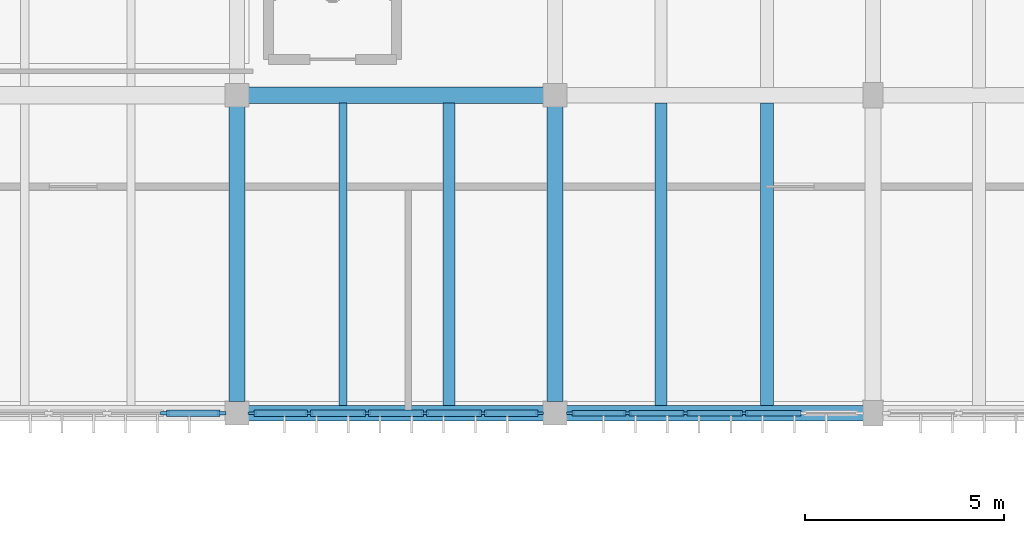
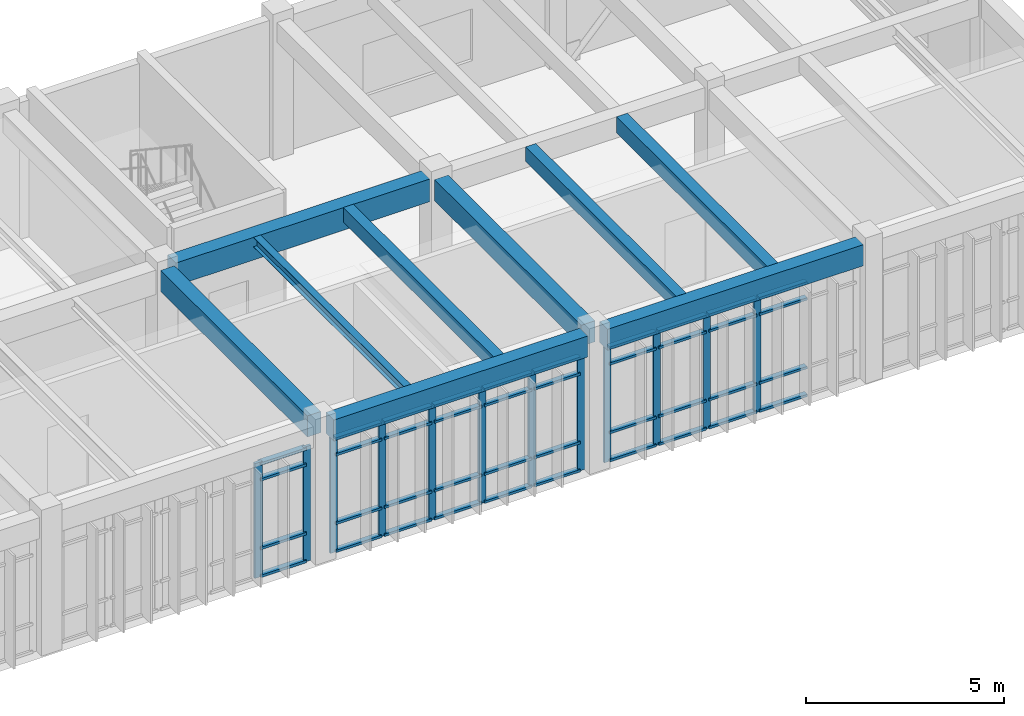
# One storey, part 32 of 79: 52 members, 9 beams, 3 elements without a shape of their own.
"""IFC4 building model written with IfcOpenShell, lengths in metres."""

from ifc_helpers import new_model, si_unit, direction, frame, origin, origin_2d, place, context, subcontext, project, spatial, rectangle, i_section, extrude, material, material_profile, profile_set, type_object, element, aggregate, save


model = new_model("IFC4")

# Units and contexts
model_context = context("Model", 3, precision=1e-05, world=origin(), true_north=direction((0.0, 1.0)))
body_context = subcontext(model_context, "Body", "Model", "MODEL_VIEW")
ifc_project = project(units=[si_unit("LENGTHUNIT", "METRE"), si_unit("AREAUNIT", "SQUARE_METRE"), si_unit("VOLUMEUNIT", "CUBIC_METRE"), si_unit("PLANEANGLEUNIT", "RADIAN"), si_unit("MASSUNIT", "GRAM", prefix="KILO")], contexts=[model_context])

# Site, building, storey
site_placement = place(None, origin())
site = spatial("IfcSite", under=ifc_project, at=site_placement, CompositionType="ELEMENT")
building_placement = place(site_placement, origin())
building = spatial("IfcBuilding", under=site, at=building_placement, Name="Tlaxcora Railside Police Headquarters", CompositionType="ELEMENT")
storey_placement = place(building_placement, frame((0.0, 0.0, 9.0)))
storey = spatial("IfcBuildingStorey", under=building, at=storey_placement, Name="L02", CompositionType="ELEMENT", Elevation=9.0)

# Curtain wall, members
ifc_material_1 = material(Name="Thermally broken low-E insulated glazing", Category="glass")
curtain_wall_type_1 = type_object("IfcCurtainWallType", Name="Unitised Curtain Wall Assembly CW-23", PredefinedType="NOTDEFINED", material=ifc_material_1)
curtain_wall_1_placement = place(storey_placement, origin())
curtain_wall_1 = element("IfcCurtainWall", 1, at=curtain_wall_1_placement, inside=storey, type_object=curtain_wall_type_1, Name="V6 L02 curtain wall 156", PredefinedType="NOTDEFINED")
ifc_material_2 = material(Name="Anodised aluminium framing", Category="aluminium")
ifc_material_profile_1 = material_profile(ifc_material_2, rectangle(XDim=0.080078125, YDim=0.219970703125, at=origin_2d()), Name="AL80X220")
ifc_profile_set_1 = profile_set([ifc_material_profile_1], Name="Anodised aluminium framing")
member_type_1 = type_object("IfcMemberType", Name="Curtain Wall Mullion CW-31", PredefinedType="MULLION", material=ifc_profile_set_1)
member_1_placement = place(storey_placement, frame((132.989990234375, 76.800048828125, 0.0), z_axis=(0.0, 0.0, 1.0), x_axis=(0.0, 1.0, 0.0)))
member_1 = element("IfcMember", 2, at=member_1_placement, type_object=member_type_1, Name="CW mullion 5", PredefinedType="MULLION", context=body_context, shape_type="SweptSolid", body=[
    extrude(rectangle(XDim=0.080078125, YDim=0.219970703125, at=origin_2d()), origin(), (0.0, 0.0, 1.0), 3.550048828125),
])
member_2_placement = place(storey_placement, frame((134.409912109375, 76.800048828125, 0.0), z_axis=(0.0, 0.0, 1.0), x_axis=(0.0, 1.0, 0.0)))
member_2 = element("IfcMember", 3, at=member_2_placement, type_object=member_type_1, Name="CW mullion 6", PredefinedType="MULLION", context=body_context, shape_type="SweptSolid", body=[
    extrude(rectangle(XDim=0.080078125, YDim=0.219970703125, at=origin_2d()), origin(), (0.0, 0.0, 1.0), 3.550048828125),
])

curtain_wall_type_2 = type_object("IfcCurtainWallType", Name="Unitised Curtain Wall Assembly CW-38", PredefinedType="NOTDEFINED", material=ifc_material_1)
curtain_wall_2_placement = place(storey_placement, origin())
curtain_wall_2 = element("IfcCurtainWall", 4, at=curtain_wall_2_placement, inside=storey, type_object=curtain_wall_type_2, Name="V6 L02 curtain wall 157", PredefinedType="NOTDEFINED")
ifc_material_profile_2 = material_profile(ifc_material_2, rectangle(XDim=0.074951171875, YDim=0.205078125, at=origin_2d()), Name="AL75X205")
ifc_profile_set_2 = profile_set([ifc_material_profile_2], Name="Anodised aluminium framing")
member_type_2 = type_object("IfcMemberType", Name="Curtain Wall Mullion CW-32", PredefinedType="MULLION", material=ifc_profile_set_2)
member_3_placement = place(storey_placement, frame((135.1875, 76.800048828125, 0.0), z_axis=(0.0, 0.0, 1.0), x_axis=(0.0, 1.0, 0.0)))
member_3 = element("IfcMember", 5, at=member_3_placement, type_object=member_type_2, Name="CW mullion 1", PredefinedType="MULLION", context=body_context, shape_type="SweptSolid", body=[
    extrude(rectangle(XDim=0.074951171875, YDim=0.205078125, at=origin_2d()), origin(), (0.0, 0.0, 1.0), 3.550048828125),
])
member_4_placement = place(storey_placement, frame((136.610107421875, 76.800048828125, 0.0), z_axis=(0.0, 0.0, 1.0), x_axis=(0.0, 1.0, 0.0)))
member_4 = element("IfcMember", 6, at=member_4_placement, type_object=member_type_2, Name="CW mullion 2", PredefinedType="MULLION", context=body_context, shape_type="SweptSolid", body=[
    extrude(rectangle(XDim=0.074951171875, YDim=0.205078125, at=origin_2d()), origin(), (0.0, 0.0, 1.0), 3.550048828125),
])
member_5_placement = place(storey_placement, frame((138.070068359375, 76.800048828125, 0.0), z_axis=(0.0, 0.0, 1.0), x_axis=(0.0, 1.0, 0.0)))
member_5 = element("IfcMember", 7, at=member_5_placement, type_object=member_type_2, Name="CW mullion 3", PredefinedType="MULLION", context=body_context, shape_type="SweptSolid", body=[
    extrude(rectangle(XDim=0.074951171875, YDim=0.205078125, at=origin_2d()), origin(), (0.0, 0.0, 1.0), 3.550048828125),
])
member_6_placement = place(storey_placement, frame((139.530029296875, 76.800048828125, 0.0), z_axis=(0.0, 0.0, 1.0), x_axis=(0.0, 1.0, 0.0)))
member_6 = element("IfcMember", 8, at=member_6_placement, type_object=member_type_2, Name="CW mullion 4", PredefinedType="MULLION", context=body_context, shape_type="SweptSolid", body=[
    extrude(rectangle(XDim=0.074951171875, YDim=0.205078125, at=origin_2d()), origin(), (0.0, 0.0, 1.0), 3.550048828125),
])
member_7_placement = place(storey_placement, frame((140.989990234375, 76.800048828125, 0.0), z_axis=(0.0, 0.0, 1.0), x_axis=(0.0, 1.0, 0.0)))
member_7 = element("IfcMember", 9, at=member_7_placement, type_object=member_type_2, Name="CW mullion 5", PredefinedType="MULLION", context=body_context, shape_type="SweptSolid", body=[
    extrude(rectangle(XDim=0.074951171875, YDim=0.205078125, at=origin_2d()), origin(), (0.0, 0.0, 1.0), 3.550048828125),
])
member_8_placement = place(storey_placement, frame((142.41259765625, 76.800048828125, 0.0), z_axis=(0.0, 0.0, 1.0), x_axis=(0.0, 1.0, 0.0)))
member_8 = element("IfcMember", 10, at=member_8_placement, type_object=member_type_2, Name="CW mullion 6", PredefinedType="MULLION", context=body_context, shape_type="SweptSolid", body=[
    extrude(rectangle(XDim=0.074951171875, YDim=0.205078125, at=origin_2d()), origin(), (0.0, 0.0, 1.0), 3.550048828125),
])

curtain_wall_type_3 = type_object("IfcCurtainWallType", Name="Unitised Curtain Wall Assembly CW-15", PredefinedType="NOTDEFINED", material=ifc_material_1)
curtain_wall_3_placement = place(storey_placement, origin())
curtain_wall_3 = element("IfcCurtainWall", 11, at=curtain_wall_3_placement, inside=storey, type_object=curtain_wall_type_3, Name="V6 L02 curtain wall 158", PredefinedType="NOTDEFINED")
ifc_material_profile_3 = material_profile(ifc_material_2, rectangle(XDim=0.074951171875, YDim=0.199951171875, at=origin_2d()), Name="AL75X200")
ifc_profile_set_3 = profile_set([ifc_material_profile_3], Name="Anodised aluminium framing")
member_type_3 = type_object("IfcMemberType", Name="Curtain Wall Mullion CW-58", PredefinedType="MULLION", material=ifc_profile_set_3)
member_9_placement = place(storey_placement, frame((143.1875, 76.800048828125, 0.0), z_axis=(0.0, 0.0, 1.0), x_axis=(0.0, 1.0, 0.0)))
member_9 = element("IfcMember", 12, at=member_9_placement, type_object=member_type_3, Name="CW mullion 1", PredefinedType="MULLION", context=body_context, shape_type="SweptSolid", body=[
    extrude(rectangle(XDim=0.074951171875, YDim=0.199951171875, at=origin_2d()), origin(), (0.0, 0.0, 1.0), 3.550048828125),
])
member_10_placement = place(storey_placement, frame((144.6201171875, 76.800048828125, 0.0), z_axis=(0.0, 0.0, 1.0), x_axis=(0.0, 1.0, 0.0)))
member_10 = element("IfcMember", 13, at=member_10_placement, type_object=member_type_3, Name="CW mullion 2", PredefinedType="MULLION", context=body_context, shape_type="SweptSolid", body=[
    extrude(rectangle(XDim=0.074951171875, YDim=0.199951171875, at=origin_2d()), origin(), (0.0, 0.0, 1.0), 3.550048828125),
])
member_11_placement = place(storey_placement, frame((146.090087890625, 76.800048828125, 0.0), z_axis=(0.0, 0.0, 1.0), x_axis=(0.0, 1.0, 0.0)))
member_11 = element("IfcMember", 14, at=member_11_placement, type_object=member_type_3, Name="CW mullion 3", PredefinedType="MULLION", context=body_context, shape_type="SweptSolid", body=[
    extrude(rectangle(XDim=0.074951171875, YDim=0.199951171875, at=origin_2d()), origin(), (0.0, 0.0, 1.0), 3.550048828125),
])
member_12_placement = place(storey_placement, frame((147.56005859375, 76.800048828125, 0.0), z_axis=(0.0, 0.0, 1.0), x_axis=(0.0, 1.0, 0.0)))
member_12 = element("IfcMember", 15, at=member_12_placement, type_object=member_type_3, Name="CW mullion 4", PredefinedType="MULLION", context=body_context, shape_type="SweptSolid", body=[
    extrude(rectangle(XDim=0.074951171875, YDim=0.199951171875, at=origin_2d()), origin(), (0.0, 0.0, 1.0), 3.550048828125),
])
ifc_material_profile_4 = material_profile(ifc_material_2, rectangle(XDim=0.14990234375, YDim=0.074951171875, at=origin_2d()), Name="AL75X150")
ifc_profile_set_4 = profile_set([ifc_material_profile_4], Name="Anodised aluminium framing")
member_type_4 = type_object("IfcMemberType", Name="Curtain Wall Transom CW-28", PredefinedType="USERDEFINED", material=ifc_profile_set_4)
member_13_placement = place(storey_placement, frame((143.22509765625, 76.800048828125, 0.03759765625), z_axis=(1.0, 0.0, 0.0), x_axis=(0.0, 1.0, 0.0)))
member_13 = element("IfcMember", 16, at=member_13_placement, type_object=member_type_4, Name="CW transom 1.1", ObjectType="TRANSOM", PredefinedType="USERDEFINED", context=body_context, shape_type="SweptSolid", body=[
    extrude(rectangle(XDim=0.14990234375, YDim=0.074951171875, at=origin_2d()), origin(), (0.0, 0.0, 1.0), 1.357421875),
])
member_14_placement = place(storey_placement, frame((143.22509765625, 76.800048828125, 0.89990234375), z_axis=(1.0, 0.0, 0.0), x_axis=(0.0, 1.0, 0.0)))
member_14 = element("IfcMember", 17, at=member_14_placement, type_object=member_type_4, Name="CW transom 1.2", ObjectType="TRANSOM", PredefinedType="USERDEFINED", context=body_context, shape_type="SweptSolid", body=[
    extrude(rectangle(XDim=0.14990234375, YDim=0.074951171875, at=origin_2d()), origin(), (0.0, 0.0, 1.0), 1.357421875),
])
member_15_placement = place(storey_placement, frame((143.22509765625, 76.800048828125, 3.02001953125), z_axis=(1.0, 0.0, 0.0), x_axis=(0.0, 1.0, 0.0)))
member_15 = element("IfcMember", 18, at=member_15_placement, type_object=member_type_4, Name="CW transom 1.3", ObjectType="TRANSOM", PredefinedType="USERDEFINED", context=body_context, shape_type="SweptSolid", body=[
    extrude(rectangle(XDim=0.14990234375, YDim=0.074951171875, at=origin_2d()), origin(), (0.0, 0.0, 1.0), 1.357421875),
])
member_16_placement = place(storey_placement, frame((143.22509765625, 76.800048828125, 3.512451171875), z_axis=(1.0, 0.0, 0.0), x_axis=(0.0, 1.0, 0.0)))
member_16 = element("IfcMember", 19, at=member_16_placement, type_object=member_type_4, Name="CW transom 1.4", ObjectType="TRANSOM", PredefinedType="USERDEFINED", context=body_context, shape_type="SweptSolid", body=[
    extrude(rectangle(XDim=0.14990234375, YDim=0.074951171875, at=origin_2d()), origin(), (0.0, 0.0, 1.0), 1.357421875),
])
member_17_placement = place(storey_placement, frame((144.657470703125, 76.800048828125, 0.03759765625), z_axis=(1.0, 0.0, 0.0), x_axis=(0.0, 1.0, 0.0)))
member_17 = element("IfcMember", 20, at=member_17_placement, type_object=member_type_4, Name="CW transom 2.1", ObjectType="TRANSOM", PredefinedType="USERDEFINED", context=body_context, shape_type="SweptSolid", body=[
    extrude(rectangle(XDim=0.14990234375, YDim=0.074951171875, at=origin_2d()), origin(), (0.0, 0.0, 1.0), 1.39501953125),
])
member_18_placement = place(storey_placement, frame((144.657470703125, 76.800048828125, 0.89990234375), z_axis=(1.0, 0.0, 0.0), x_axis=(0.0, 1.0, 0.0)))
member_18 = element("IfcMember", 21, at=member_18_placement, type_object=member_type_4, Name="CW transom 2.2", ObjectType="TRANSOM", PredefinedType="USERDEFINED", context=body_context, shape_type="SweptSolid", body=[
    extrude(rectangle(XDim=0.14990234375, YDim=0.074951171875, at=origin_2d()), origin(), (0.0, 0.0, 1.0), 1.39501953125),
])
member_19_placement = place(storey_placement, frame((144.657470703125, 76.800048828125, 3.02001953125), z_axis=(1.0, 0.0, 0.0), x_axis=(0.0, 1.0, 0.0)))
member_19 = element("IfcMember", 22, at=member_19_placement, type_object=member_type_4, Name="CW transom 2.3", ObjectType="TRANSOM", PredefinedType="USERDEFINED", context=body_context, shape_type="SweptSolid", body=[
    extrude(rectangle(XDim=0.14990234375, YDim=0.074951171875, at=origin_2d()), origin(), (0.0, 0.0, 1.0), 1.39501953125),
])
member_20_placement = place(storey_placement, frame((144.657470703125, 76.800048828125, 3.512451171875), z_axis=(1.0, 0.0, 0.0), x_axis=(0.0, 1.0, 0.0)))
member_20 = element("IfcMember", 23, at=member_20_placement, type_object=member_type_4, Name="CW transom 2.4", ObjectType="TRANSOM", PredefinedType="USERDEFINED", context=body_context, shape_type="SweptSolid", body=[
    extrude(rectangle(XDim=0.14990234375, YDim=0.074951171875, at=origin_2d()), origin(), (0.0, 0.0, 1.0), 1.39501953125),
])
member_21_placement = place(storey_placement, frame((146.12744140625, 76.800048828125, 0.03759765625), z_axis=(1.0, 0.0, 0.0), x_axis=(0.0, 1.0, 0.0)))
member_21 = element("IfcMember", 24, at=member_21_placement, type_object=member_type_4, Name="CW transom 3.1", ObjectType="TRANSOM", PredefinedType="USERDEFINED", context=body_context, shape_type="SweptSolid", body=[
    extrude(rectangle(XDim=0.14990234375, YDim=0.074951171875, at=origin_2d()), origin(), (0.0, 0.0, 1.0), 1.39501953125),
])
member_22_placement = place(storey_placement, frame((146.12744140625, 76.800048828125, 0.89990234375), z_axis=(1.0, 0.0, 0.0), x_axis=(0.0, 1.0, 0.0)))
member_22 = element("IfcMember", 25, at=member_22_placement, type_object=member_type_4, Name="CW transom 3.2", ObjectType="TRANSOM", PredefinedType="USERDEFINED", context=body_context, shape_type="SweptSolid", body=[
    extrude(rectangle(XDim=0.14990234375, YDim=0.074951171875, at=origin_2d()), origin(), (0.0, 0.0, 1.0), 1.39501953125),
])
member_23_placement = place(storey_placement, frame((146.12744140625, 76.800048828125, 3.02001953125), z_axis=(1.0, 0.0, 0.0), x_axis=(0.0, 1.0, 0.0)))
member_23 = element("IfcMember", 26, at=member_23_placement, type_object=member_type_4, Name="CW transom 3.3", ObjectType="TRANSOM", PredefinedType="USERDEFINED", context=body_context, shape_type="SweptSolid", body=[
    extrude(rectangle(XDim=0.14990234375, YDim=0.074951171875, at=origin_2d()), origin(), (0.0, 0.0, 1.0), 1.39501953125),
])
member_24_placement = place(storey_placement, frame((146.12744140625, 76.800048828125, 3.512451171875), z_axis=(1.0, 0.0, 0.0), x_axis=(0.0, 1.0, 0.0)))
member_24 = element("IfcMember", 27, at=member_24_placement, type_object=member_type_4, Name="CW transom 3.4", ObjectType="TRANSOM", PredefinedType="USERDEFINED", context=body_context, shape_type="SweptSolid", body=[
    extrude(rectangle(XDim=0.14990234375, YDim=0.074951171875, at=origin_2d()), origin(), (0.0, 0.0, 1.0), 1.39501953125),
])
member_25_placement = place(storey_placement, frame((147.597412109375, 76.800048828125, 0.03759765625), z_axis=(1.0, 0.0, 0.0), x_axis=(0.0, 1.0, 0.0)))
member_25 = element("IfcMember", 28, at=member_25_placement, type_object=member_type_4, Name="CW transom 4.1", ObjectType="TRANSOM", PredefinedType="USERDEFINED", context=body_context, shape_type="SweptSolid", body=[
    extrude(rectangle(XDim=0.14990234375, YDim=0.074951171875, at=origin_2d()), origin(), (0.0, 0.0, 1.0), 1.39501953125),
])
member_26_placement = place(storey_placement, frame((147.597412109375, 76.800048828125, 0.89990234375), z_axis=(1.0, 0.0, 0.0), x_axis=(0.0, 1.0, 0.0)))
member_26 = element("IfcMember", 29, at=member_26_placement, type_object=member_type_4, Name="CW transom 4.2", ObjectType="TRANSOM", PredefinedType="USERDEFINED", context=body_context, shape_type="SweptSolid", body=[
    extrude(rectangle(XDim=0.14990234375, YDim=0.074951171875, at=origin_2d()), origin(), (0.0, 0.0, 1.0), 1.39501953125),
])
member_27_placement = place(storey_placement, frame((147.597412109375, 76.800048828125, 3.02001953125), z_axis=(1.0, 0.0, 0.0), x_axis=(0.0, 1.0, 0.0)))
member_27 = element("IfcMember", 30, at=member_27_placement, type_object=member_type_4, Name="CW transom 4.3", ObjectType="TRANSOM", PredefinedType="USERDEFINED", context=body_context, shape_type="SweptSolid", body=[
    extrude(rectangle(XDim=0.14990234375, YDim=0.074951171875, at=origin_2d()), origin(), (0.0, 0.0, 1.0), 1.39501953125),
])
member_28_placement = place(storey_placement, frame((147.597412109375, 76.800048828125, 3.512451171875), z_axis=(1.0, 0.0, 0.0), x_axis=(0.0, 1.0, 0.0)))
member_28 = element("IfcMember", 31, at=member_28_placement, type_object=member_type_4, Name="CW transom 4.4", ObjectType="TRANSOM", PredefinedType="USERDEFINED", context=body_context, shape_type="SweptSolid", body=[
    extrude(rectangle(XDim=0.14990234375, YDim=0.074951171875, at=origin_2d()), origin(), (0.0, 0.0, 1.0), 1.39501953125),
])
aggregate(curtain_wall_3, [member_9, member_10, member_11, member_12, member_13, member_14, member_15, member_16, member_17, member_18, member_19, member_20, member_21, member_22, member_23, member_24, member_25, member_26, member_27, member_28])

# Member
ifc_material_profile_5 = material_profile(ifc_material_2, rectangle(XDim=0.155029296875, YDim=0.074951171875, at=origin_2d()), Name="AL75X155")
ifc_profile_set_5 = profile_set([ifc_material_profile_5], Name="Anodised aluminium framing")
member_type_5 = type_object("IfcMemberType", Name="Curtain Wall Transom CW-30", PredefinedType="USERDEFINED", material=ifc_profile_set_5)
member_29_placement = place(storey_placement, frame((135.22509765625, 76.800048828125, 0.03759765625), z_axis=(1.0, 0.0, 0.0), x_axis=(0.0, 1.0, 0.0)))
member_29 = element("IfcMember", 32, at=member_29_placement, type_object=member_type_5, Name="CW transom 1.1", ObjectType="TRANSOM", PredefinedType="USERDEFINED", context=body_context, shape_type="SweptSolid", body=[
    extrude(rectangle(XDim=0.155029296875, YDim=0.074951171875, at=origin_2d()), origin(), (0.0, 0.0, 1.0), 1.347412109375),
])

member_30_placement = place(storey_placement, frame((135.22509765625, 76.800048828125, 0.89990234375), z_axis=(1.0, 0.0, 0.0), x_axis=(0.0, 1.0, 0.0)))
member_30 = element("IfcMember", 33, at=member_30_placement, type_object=member_type_5, Name="CW transom 1.2", ObjectType="TRANSOM", PredefinedType="USERDEFINED", context=body_context, shape_type="SweptSolid", body=[
    extrude(rectangle(XDim=0.155029296875, YDim=0.074951171875, at=origin_2d()), origin(), (0.0, 0.0, 1.0), 1.347412109375),
])

member_31_placement = place(storey_placement, frame((135.22509765625, 76.800048828125, 3.02001953125), z_axis=(1.0, 0.0, 0.0), x_axis=(0.0, 1.0, 0.0)))
member_31 = element("IfcMember", 34, at=member_31_placement, type_object=member_type_5, Name="CW transom 1.3", ObjectType="TRANSOM", PredefinedType="USERDEFINED", context=body_context, shape_type="SweptSolid", body=[
    extrude(rectangle(XDim=0.155029296875, YDim=0.074951171875, at=origin_2d()), origin(), (0.0, 0.0, 1.0), 1.347412109375),
])

member_32_placement = place(storey_placement, frame((135.22509765625, 76.800048828125, 3.512451171875), z_axis=(1.0, 0.0, 0.0), x_axis=(0.0, 1.0, 0.0)))
member_32 = element("IfcMember", 35, at=member_32_placement, type_object=member_type_5, Name="CW transom 1.4", ObjectType="TRANSOM", PredefinedType="USERDEFINED", context=body_context, shape_type="SweptSolid", body=[
    extrude(rectangle(XDim=0.155029296875, YDim=0.074951171875, at=origin_2d()), origin(), (0.0, 0.0, 1.0), 1.347412109375),
])

member_33_placement = place(storey_placement, frame((136.6474609375, 76.800048828125, 0.03759765625), z_axis=(1.0, 0.0, 0.0), x_axis=(0.0, 1.0, 0.0)))
member_33 = element("IfcMember", 36, at=member_33_placement, type_object=member_type_5, Name="CW transom 2.1", ObjectType="TRANSOM", PredefinedType="USERDEFINED", context=body_context, shape_type="SweptSolid", body=[
    extrude(rectangle(XDim=0.155029296875, YDim=0.074951171875, at=origin_2d()), origin(), (0.0, 0.0, 1.0), 1.385009765625),
])

member_34_placement = place(storey_placement, frame((136.6474609375, 76.800048828125, 0.89990234375), z_axis=(1.0, 0.0, 0.0), x_axis=(0.0, 1.0, 0.0)))
member_34 = element("IfcMember", 37, at=member_34_placement, type_object=member_type_5, Name="CW transom 2.2", ObjectType="TRANSOM", PredefinedType="USERDEFINED", context=body_context, shape_type="SweptSolid", body=[
    extrude(rectangle(XDim=0.155029296875, YDim=0.074951171875, at=origin_2d()), origin(), (0.0, 0.0, 1.0), 1.385009765625),
])

member_35_placement = place(storey_placement, frame((136.6474609375, 76.800048828125, 3.02001953125), z_axis=(1.0, 0.0, 0.0), x_axis=(0.0, 1.0, 0.0)))
member_35 = element("IfcMember", 38, at=member_35_placement, type_object=member_type_5, Name="CW transom 2.3", ObjectType="TRANSOM", PredefinedType="USERDEFINED", context=body_context, shape_type="SweptSolid", body=[
    extrude(rectangle(XDim=0.155029296875, YDim=0.074951171875, at=origin_2d()), origin(), (0.0, 0.0, 1.0), 1.385009765625),
])

member_36_placement = place(storey_placement, frame((136.6474609375, 76.800048828125, 3.512451171875), z_axis=(1.0, 0.0, 0.0), x_axis=(0.0, 1.0, 0.0)))
member_36 = element("IfcMember", 39, at=member_36_placement, type_object=member_type_5, Name="CW transom 2.4", ObjectType="TRANSOM", PredefinedType="USERDEFINED", context=body_context, shape_type="SweptSolid", body=[
    extrude(rectangle(XDim=0.155029296875, YDim=0.074951171875, at=origin_2d()), origin(), (0.0, 0.0, 1.0), 1.385009765625),
])

member_37_placement = place(storey_placement, frame((138.107421875, 76.800048828125, 0.03759765625), z_axis=(1.0, 0.0, 0.0), x_axis=(0.0, 1.0, 0.0)))
member_37 = element("IfcMember", 40, at=member_37_placement, type_object=member_type_5, Name="CW transom 3.1", ObjectType="TRANSOM", PredefinedType="USERDEFINED", context=body_context, shape_type="SweptSolid", body=[
    extrude(rectangle(XDim=0.155029296875, YDim=0.074951171875, at=origin_2d()), origin(), (0.0, 0.0, 1.0), 1.385009765625),
])

member_38_placement = place(storey_placement, frame((138.107421875, 76.800048828125, 0.89990234375), z_axis=(1.0, 0.0, 0.0), x_axis=(0.0, 1.0, 0.0)))
member_38 = element("IfcMember", 41, at=member_38_placement, type_object=member_type_5, Name="CW transom 3.2", ObjectType="TRANSOM", PredefinedType="USERDEFINED", context=body_context, shape_type="SweptSolid", body=[
    extrude(rectangle(XDim=0.155029296875, YDim=0.074951171875, at=origin_2d()), origin(), (0.0, 0.0, 1.0), 1.385009765625),
])

member_39_placement = place(storey_placement, frame((138.107421875, 76.800048828125, 3.02001953125), z_axis=(1.0, 0.0, 0.0), x_axis=(0.0, 1.0, 0.0)))
member_39 = element("IfcMember", 42, at=member_39_placement, type_object=member_type_5, Name="CW transom 3.3", ObjectType="TRANSOM", PredefinedType="USERDEFINED", context=body_context, shape_type="SweptSolid", body=[
    extrude(rectangle(XDim=0.155029296875, YDim=0.074951171875, at=origin_2d()), origin(), (0.0, 0.0, 1.0), 1.385009765625),
])

member_40_placement = place(storey_placement, frame((138.107421875, 76.800048828125, 3.512451171875), z_axis=(1.0, 0.0, 0.0), x_axis=(0.0, 1.0, 0.0)))
member_40 = element("IfcMember", 43, at=member_40_placement, type_object=member_type_5, Name="CW transom 3.4", ObjectType="TRANSOM", PredefinedType="USERDEFINED", context=body_context, shape_type="SweptSolid", body=[
    extrude(rectangle(XDim=0.155029296875, YDim=0.074951171875, at=origin_2d()), origin(), (0.0, 0.0, 1.0), 1.385009765625),
])

member_41_placement = place(storey_placement, frame((139.5673828125, 76.800048828125, 0.03759765625), z_axis=(1.0, 0.0, 0.0), x_axis=(0.0, 1.0, 0.0)))
member_41 = element("IfcMember", 44, at=member_41_placement, type_object=member_type_5, Name="CW transom 4.1", ObjectType="TRANSOM", PredefinedType="USERDEFINED", context=body_context, shape_type="SweptSolid", body=[
    extrude(rectangle(XDim=0.155029296875, YDim=0.074951171875, at=origin_2d()), origin(), (0.0, 0.0, 1.0), 1.385009765625),
])

member_42_placement = place(storey_placement, frame((139.5673828125, 76.800048828125, 0.89990234375), z_axis=(1.0, 0.0, 0.0), x_axis=(0.0, 1.0, 0.0)))
member_42 = element("IfcMember", 45, at=member_42_placement, type_object=member_type_5, Name="CW transom 4.2", ObjectType="TRANSOM", PredefinedType="USERDEFINED", context=body_context, shape_type="SweptSolid", body=[
    extrude(rectangle(XDim=0.155029296875, YDim=0.074951171875, at=origin_2d()), origin(), (0.0, 0.0, 1.0), 1.385009765625),
])

member_43_placement = place(storey_placement, frame((139.5673828125, 76.800048828125, 3.02001953125), z_axis=(1.0, 0.0, 0.0), x_axis=(0.0, 1.0, 0.0)))
member_43 = element("IfcMember", 46, at=member_43_placement, type_object=member_type_5, Name="CW transom 4.3", ObjectType="TRANSOM", PredefinedType="USERDEFINED", context=body_context, shape_type="SweptSolid", body=[
    extrude(rectangle(XDim=0.155029296875, YDim=0.074951171875, at=origin_2d()), origin(), (0.0, 0.0, 1.0), 1.385009765625),
])

member_44_placement = place(storey_placement, frame((139.5673828125, 76.800048828125, 3.512451171875), z_axis=(1.0, 0.0, 0.0), x_axis=(0.0, 1.0, 0.0)))
member_44 = element("IfcMember", 47, at=member_44_placement, type_object=member_type_5, Name="CW transom 4.4", ObjectType="TRANSOM", PredefinedType="USERDEFINED", context=body_context, shape_type="SweptSolid", body=[
    extrude(rectangle(XDim=0.155029296875, YDim=0.074951171875, at=origin_2d()), origin(), (0.0, 0.0, 1.0), 1.385009765625),
])

member_45_placement = place(storey_placement, frame((141.027587890625, 76.800048828125, 0.03759765625), z_axis=(1.0, 0.0, 0.0), x_axis=(0.0, 1.0, 0.0)))
member_45 = element("IfcMember", 48, at=member_45_placement, type_object=member_type_5, Name="CW transom 5.1", ObjectType="TRANSOM", PredefinedType="USERDEFINED", context=body_context, shape_type="SweptSolid", body=[
    extrude(rectangle(XDim=0.155029296875, YDim=0.074951171875, at=origin_2d()), origin(), (0.0, 0.0, 1.0), 1.347412109375),
])

member_46_placement = place(storey_placement, frame((141.027587890625, 76.800048828125, 0.89990234375), z_axis=(1.0, 0.0, 0.0), x_axis=(0.0, 1.0, 0.0)))
member_46 = element("IfcMember", 49, at=member_46_placement, type_object=member_type_5, Name="CW transom 5.2", ObjectType="TRANSOM", PredefinedType="USERDEFINED", context=body_context, shape_type="SweptSolid", body=[
    extrude(rectangle(XDim=0.155029296875, YDim=0.074951171875, at=origin_2d()), origin(), (0.0, 0.0, 1.0), 1.347412109375),
])

member_47_placement = place(storey_placement, frame((141.027587890625, 76.800048828125, 3.02001953125), z_axis=(1.0, 0.0, 0.0), x_axis=(0.0, 1.0, 0.0)))
member_47 = element("IfcMember", 50, at=member_47_placement, type_object=member_type_5, Name="CW transom 5.3", ObjectType="TRANSOM", PredefinedType="USERDEFINED", context=body_context, shape_type="SweptSolid", body=[
    extrude(rectangle(XDim=0.155029296875, YDim=0.074951171875, at=origin_2d()), origin(), (0.0, 0.0, 1.0), 1.347412109375),
])

member_48_placement = place(storey_placement, frame((141.027587890625, 76.800048828125, 3.512451171875), z_axis=(1.0, 0.0, 0.0), x_axis=(0.0, 1.0, 0.0)))
member_48 = element("IfcMember", 51, at=member_48_placement, type_object=member_type_5, Name="CW transom 5.4", ObjectType="TRANSOM", PredefinedType="USERDEFINED", context=body_context, shape_type="SweptSolid", body=[
    extrude(rectangle(XDim=0.155029296875, YDim=0.074951171875, at=origin_2d()), origin(), (0.0, 0.0, 1.0), 1.347412109375),
])

aggregate(curtain_wall_2, [member_3, member_4, member_5, member_6, member_7, member_8, member_29, member_30, member_31, member_32, member_33, member_34, member_35, member_36, member_37, member_38, member_39, member_40, member_41, member_42, member_43, member_44, member_45, member_46, member_47, member_48])

ifc_material_profile_6 = material_profile(ifc_material_2, rectangle(XDim=0.1650390625, YDim=0.080078125, at=origin_2d()), Name="AL80X165")
ifc_profile_set_6 = profile_set([ifc_material_profile_6], Name="Anodised aluminium framing")
member_type_6 = type_object("IfcMemberType", Name="Curtain Wall Transom CW-62", PredefinedType="USERDEFINED", material=ifc_profile_set_6)
member_49_placement = place(storey_placement, frame((133.030029296875, 76.800048828125, 0.0400390625), z_axis=(1.0, 0.0, 0.0), x_axis=(0.0, 1.0, 0.0)))
member_49 = element("IfcMember", 52, at=member_49_placement, type_object=member_type_6, Name="CW transom 5.1", ObjectType="TRANSOM", PredefinedType="USERDEFINED", context=body_context, shape_type="SweptSolid", body=[
    extrude(rectangle(XDim=0.1650390625, YDim=0.080078125, at=origin_2d()), origin(), (0.0, 0.0, 1.0), 1.340087890625),
])

member_50_placement = place(storey_placement, frame((133.030029296875, 76.800048828125, 0.89990234375), z_axis=(1.0, 0.0, 0.0), x_axis=(0.0, 1.0, 0.0)))
member_50 = element("IfcMember", 53, at=member_50_placement, type_object=member_type_6, Name="CW transom 5.2", ObjectType="TRANSOM", PredefinedType="USERDEFINED", context=body_context, shape_type="SweptSolid", body=[
    extrude(rectangle(XDim=0.1650390625, YDim=0.080078125, at=origin_2d()), origin(), (0.0, 0.0, 1.0), 1.340087890625),
])

member_51_placement = place(storey_placement, frame((133.030029296875, 76.800048828125, 3.02001953125), z_axis=(1.0, 0.0, 0.0), x_axis=(0.0, 1.0, 0.0)))
member_51 = element("IfcMember", 54, at=member_51_placement, type_object=member_type_6, Name="CW transom 5.3", ObjectType="TRANSOM", PredefinedType="USERDEFINED", context=body_context, shape_type="SweptSolid", body=[
    extrude(rectangle(XDim=0.1650390625, YDim=0.080078125, at=origin_2d()), origin(), (0.0, 0.0, 1.0), 1.340087890625),
])

member_52_placement = place(storey_placement, frame((133.030029296875, 76.800048828125, 3.510009765625), z_axis=(1.0, 0.0, 0.0), x_axis=(0.0, 1.0, 0.0)))
member_52 = element("IfcMember", 55, at=member_52_placement, type_object=member_type_6, Name="CW transom 5.4", ObjectType="TRANSOM", PredefinedType="USERDEFINED", context=body_context, shape_type="SweptSolid", body=[
    extrude(rectangle(XDim=0.1650390625, YDim=0.080078125, at=origin_2d()), origin(), (0.0, 0.0, 1.0), 1.340087890625),
])

aggregate(curtain_wall_1, [member_1, member_2, member_49, member_50, member_51, member_52])

# Beams
ifc_material_3 = material(Name="Concrete C40/50", Category="concrete")
ifc_material_profile_7 = material_profile(ifc_material_3, rectangle(XDim=0.39990234375, YDim=0.64990234375, at=origin_2d()), Name="RC400X650")
ifc_profile_set_7 = profile_set([ifc_material_profile_7], Name="Concrete C40/50")
beam_type_1 = type_object("IfcBeamType", Name="Perimeter Spandrel Beam BM-46", PredefinedType="SPANDREL", material=ifc_profile_set_7)
beam_1_placement = place(storey_placement, frame((135.090087890625, 76.800048828125, 3.89501953125), z_axis=(1.0, 0.0, 0.0), x_axis=(0.0, 1.0, 0.0)))
element("IfcBeam", 56, at=beam_1_placement, inside=storey, type_object=beam_type_1, Name="V6 L02 X-girder Y=76.8", PredefinedType="SPANDREL", context=body_context, shape_type="SweptSolid", body=[
    extrude(rectangle(XDim=0.39990234375, YDim=0.64990234375, at=origin_2d()), origin(), (0.0, 0.0, 1.0), 7.419921875),
])
beam_2_placement = place(storey_placement, frame((143.090087890625, 76.800048828125, 3.89501953125), z_axis=(1.0, 0.0, 0.0), x_axis=(0.0, 1.0, 0.0)))
element("IfcBeam", 57, at=beam_2_placement, inside=storey, type_object=beam_type_1, Name="V6 L02 X-girder Y=76.8", PredefinedType="SPANDREL", context=body_context, shape_type="SweptSolid", body=[
    extrude(rectangle(XDim=0.39990234375, YDim=0.64990234375, at=origin_2d()), origin(), (0.0, 0.0, 1.0), 7.469970703125),
])
ifc_material_profile_8 = material_profile(ifc_material_3, rectangle(XDim=0.419921875, YDim=0.699951171875, at=origin_2d()), Name="RC420X700")
ifc_profile_set_8 = profile_set([ifc_material_profile_8], Name="Concrete C40/50")
beam_type_2 = type_object("IfcBeamType", Name="Primary Frame Girder BM-35", PredefinedType="BEAM", material=ifc_profile_set_8)
beam_3_placement = place(storey_placement, frame((135.090087890625, 84.800048828125, 3.8701171875), z_axis=(1.0, 0.0, 0.0), x_axis=(0.0, 1.0, 0.0)))
element("IfcBeam", 58, at=beam_3_placement, inside=storey, type_object=beam_type_2, Name="V6 L02 X-girder Y=84.8", PredefinedType="BEAM", context=body_context, shape_type="SweptSolid", body=[
    extrude(rectangle(XDim=0.419921875, YDim=0.699951171875, at=origin_2d()), origin(), (0.0, 0.0, 1.0), 7.419921875),
])
ifc_material_profile_9 = material_profile(ifc_material_3, rectangle(XDim=0.39990234375, YDim=0.64990234375, at=origin_2d()), Name="RC400X650")
ifc_profile_set_9 = profile_set([ifc_material_profile_9], Name="Concrete C40/50")
beam_type_3 = type_object("IfcBeamType", Name="Primary Frame Girder BM-41", PredefinedType="BEAM", material=ifc_profile_set_9)
for number, where, z_axis, x_axis, name in (
    (59, (134.800048828125, 77.090087890625, 3.89501953125), (0.0, 1.0, 0.0), (-1.0, 0.0, 0.0), "V6 L02 Y-girder X=134.8"),
    (60, (142.800048828125, 77.090087890625, 3.89501953125), (0.0, 1.0, 0.0), (-1.0, 0.0, 0.0), "V6 L02 Y-girder X=142.8"),
):
    element("IfcBeam", number, at=place(storey_placement, frame(where, z_axis=z_axis, x_axis=x_axis)), inside=storey, type_object=beam_type_3, Name=name, PredefinedType="BEAM", context=body_context, shape_type="SweptSolid", body=[
        extrude(rectangle(XDim=0.39990234375, YDim=0.64990234375, at=origin_2d()), origin(), (0.0, 0.0, 1.0), 7.419921875),
    ])
ifc_material_4 = material(Name="Concrete C35/45", Category="concrete")
ifc_material_profile_10 = material_profile(ifc_material_4, rectangle(XDim=0.300048828125, YDim=0.449951171875, at=origin_2d()), Name="RC300X450")
ifc_profile_set_10 = profile_set([ifc_material_profile_10], Name="Concrete C35/45")
beam_type_4 = type_object("IfcBeamType", Name="Secondary Floor Joist BM-27", PredefinedType="JOIST", material=ifc_profile_set_10)
beam_4_placement = place(storey_placement, frame((140.13330078125, 76.991943359375, 3.9951171875), z_axis=(0.0, 1.0, 0.0), x_axis=(-1.0, 0.0, 0.0)))
element("IfcBeam", 61, at=beam_4_placement, inside=storey, type_object=beam_type_4, Name="V6 L02 floor joist X=140.13", PredefinedType="JOIST", context=body_context, shape_type="SweptSolid", body=[
    extrude(rectangle(XDim=0.300048828125, YDim=0.449951171875, at=origin_2d()), origin(), (0.0, 0.0, 1.0), 7.60595703125),
])
beam_5_placement = place(storey_placement, frame((145.466796875, 76.991943359375, 3.9951171875), z_axis=(0.0, 1.0, 0.0), x_axis=(-1.0, 0.0, 0.0)))
element("IfcBeam", 62, at=beam_5_placement, inside=storey, type_object=beam_type_4, Name="V6 L02 floor joist X=145.47", PredefinedType="JOIST", context=body_context, shape_type="SweptSolid", body=[
    extrude(rectangle(XDim=0.300048828125, YDim=0.449951171875, at=origin_2d()), origin(), (0.0, 0.0, 1.0), 7.615966796875),
])
ifc_material_profile_11 = material_profile(ifc_material_4, rectangle(XDim=0.320068359375, YDim=0.5, at=origin_2d()), Name="RC320X500")
ifc_profile_set_11 = profile_set([ifc_material_profile_11], Name="Concrete C35/45")
beam_type_5 = type_object("IfcBeamType", Name="Secondary Floor Joist BM-88", PredefinedType="JOIST", material=ifc_profile_set_11)
beam_6_placement = place(storey_placement, frame((148.13330078125, 76.991943359375, 3.969970703125), z_axis=(0.0, 1.0, 0.0), x_axis=(-1.0, 0.0, 0.0)))
element("IfcBeam", 63, at=beam_6_placement, inside=storey, type_object=beam_type_5, Name="V6 L02 floor joist X=148.13", PredefinedType="JOIST", context=body_context, shape_type="SweptSolid", body=[
    extrude(rectangle(XDim=0.320068359375, YDim=0.5, at=origin_2d()), origin(), (0.0, 0.0, 1.0), 7.615966796875),
])
ifc_material_5 = material(Name="Steel ASTM A992 Grade 50", Category="steel")
ifc_material_profile_12 = material_profile(ifc_material_5, i_section(OverallWidth=0.202880859375, OverallDepth=0.302978515625, WebThickness=0.007568359375, FlangeThickness=0.01318359375, at=origin_2d()), Name="W12X40")
ifc_profile_set_12 = profile_set([ifc_material_profile_12], Name="Steel ASTM A992 Grade 50")
beam_type_6 = type_object("IfcBeamType", Name="Secondary Floor Joist BM-96", PredefinedType="JOIST", material=ifc_profile_set_12)
beam_7_placement = place(storey_placement, frame((137.466796875, 76.991943359375, 4.068603515625), z_axis=(0.0, 1.0, 0.0), x_axis=(-1.0, 0.0, 0.0)))
element("IfcBeam", 64, at=beam_7_placement, inside=storey, type_object=beam_type_6, Name="V6 L02 floor joist X=137.47", PredefinedType="JOIST", context=body_context, shape_type="SweptSolid", body=[
    extrude(i_section(OverallWidth=0.202880859375, OverallDepth=0.302978515625, WebThickness=0.007568359375, FlangeThickness=0.01318359375, at=origin_2d()), origin(), (0.0, 0.0, 1.0), 7.60595703125),
])

save(model, "model.ifc")
